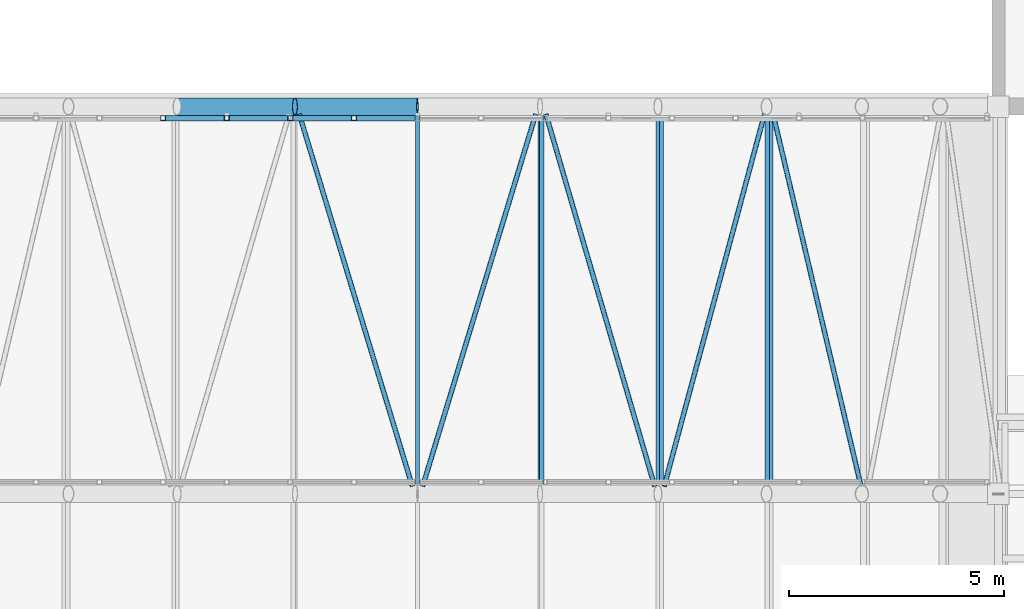
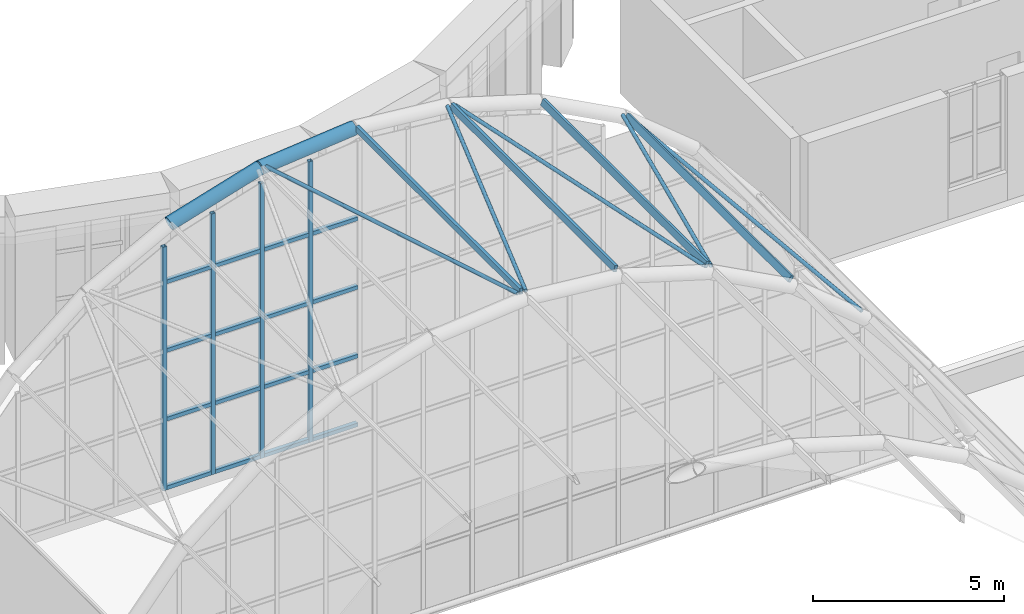
# One storey, part 54 of 121: 31 members, 1 element without a shape of its own.
"""IFC4 building model written with IfcOpenShell, lengths in metres."""

from ifc_helpers import new_model, si_unit, direction, frame, origin, origin_2d, place, context, subcontext, project, spatial, hollow_rectangle, hollow_circle, extrude, material, material_profile, profile_set, type_object, element, aggregate, save


model = new_model("IFC4")

# Units and contexts
model_context = context("Model", 3, precision=1e-05, world=origin(), true_north=direction((0.0, 1.0)))
body_context = subcontext(model_context, "Body", "Model", "MODEL_VIEW")
ifc_project = project(units=[si_unit("LENGTHUNIT", "METRE"), si_unit("AREAUNIT", "SQUARE_METRE"), si_unit("VOLUMEUNIT", "CUBIC_METRE"), si_unit("PLANEANGLEUNIT", "RADIAN"), si_unit("MASSUNIT", "GRAM", prefix="KILO")], contexts=[model_context])

# Site, building, storey
site_placement = place(None, origin())
site = spatial("IfcSite", under=ifc_project, at=site_placement, CompositionType="ELEMENT")
building_placement = place(site_placement, origin())
building = spatial("IfcBuilding", under=site, at=building_placement, Name="Golden Quay Civic Hall", CompositionType="ELEMENT")
storey_placement = place(building_placement, frame((0.0, 0.0, 18.60009765625)))
storey = spatial("IfcBuildingStorey", under=building, at=storey_placement, Name="L04", CompositionType="ELEMENT", Elevation=18.60009765625)

# Members
ifc_material_1 = material(Name="Steel S355", Category="steel")
ifc_material_profile_1 = material_profile(ifc_material_1, hollow_circle(Radius=0.203125, WallThickness=0.01611328125, at=origin_2d()), Name="CHS 406.4x16")
ifc_profile_set_1 = profile_set([ifc_material_profile_1], Name="Steel S355")
member_type_1 = type_object("IfcMemberType", Name="Steel arch rib CHS 406.4x16", PredefinedType="USERDEFINED", material=ifc_profile_set_1)
member_1_placement = place(storey_placement, frame((79.91259765625, 63.0, 7.990478515625), z_axis=(0.957095401463, 0.0, 0.289773001673), x_axis=(0.0, 1.0, 0.0)))
element("IfcMember", 1, at=member_1_placement, inside=storey, type_object=member_type_1, Name="Arch rib 8 segment 5", ObjectType="ARCH RIB", PredefinedType="USERDEFINED", context=body_context, shape_type="SweptSolid", body=[
    extrude(hollow_circle(Radius=0.203125, WallThickness=0.01611328125, at=origin_2d()), origin(), (0.0, 0.0, 1.0), 2.862060546875),
])
member_2_placement = place(storey_placement, frame((82.65185546875, 63.0, 8.81982421875), z_axis=(0.995201360973, 0.0, 0.097848102266), x_axis=(0.0, 1.0, 0.0)))
element("IfcMember", 2, at=member_2_placement, inside=storey, type_object=member_type_1, Name="Arch rib 8 segment 6", ObjectType="ARCH RIB", PredefinedType="USERDEFINED", context=body_context, shape_type="SweptSolid", body=[
    extrude(hollow_circle(Radius=0.203125, WallThickness=0.01611328125, at=origin_2d()), origin(), (0.0, 0.0, 1.0), 2.86181640625),
])
ifc_material_2 = material(Name="Steel S355", Category="steel")
ifc_material_profile_2 = material_profile(ifc_material_2, hollow_circle(Radius=0.05712890625, WallThickness=0.00634765625, at=origin_2d()), Name="CHS 114.3x6.3")
ifc_profile_set_2 = profile_set([ifc_material_profile_2], Name="Steel S355")
member_type_2 = type_object("IfcMemberType", Name="Steel bracing rod CHS 114.3x6.3", PredefinedType="BRACE", material=ifc_profile_set_2)
for number, where, z_axis, x_axis, name in (
    (3, (82.751220703125, 62.824951171875, 8.933349609375), (0.290695657407, -0.956388442933, 0.028586377676), (0.956779453821, 0.290814505735, 0.0), "Vault bracing north 6"),
    (4, (85.61962890625, 54.175048828125, 9.19189453125), (0.290695657407, 0.956388442933, -0.028586377676), (-0.956779453821, 0.290814505735, 0.0), "Vault bracing north 7"),
    (5, (88.4833984375, 62.824951171875, 8.88671875), (0.279573306593, -0.95638527108, -0.084652108668), (0.959830517224, 0.280580430903, 0.0), "Vault bracing north 8"),
    (6, (91.23291015625, 54.175048828125, 8.02978515625), (0.257735343347, 0.956384919854, -0.137478645126), (-0.965553106332, 0.260206069976, 0.0), "Vault bracing north 9"),
    (7, (93.762939453125, 62.824951171875, 6.65380859375), (0.226043817582, -0.956380756741, -0.185040645991), (0.973186848688, 0.230015994099, 0.0), "Vault bracing north 10"),
):
    element("IfcMember", number, at=place(storey_placement, frame(where, z_axis=z_axis, x_axis=x_axis)), inside=storey, type_object=member_type_2, Name=name, PredefinedType="BRACE", context=body_context, shape_type="SweptSolid", body=[
        extrude(hollow_circle(Radius=0.05712890625, WallThickness=0.00634765625, at=origin_2d()), origin(), (0.0, 0.0, 1.0), 9.04443359375),
    ])

# Curtain wall, members
ifc_material_3 = material(Name="Glass and aluminium", Category="aluminium")
curtain_wall_type = type_object("IfcCurtainWallType", Name="Glazed curtain wall 1500 module", PredefinedType="NOTDEFINED", material=ifc_material_3)
curtain_wall_placement = place(storey_placement, origin())
curtain_wall = element("IfcCurtainWall", 8, at=curtain_wall_placement, inside=storey, type_object=curtain_wall_type, Name="Curtain wall tympanum north", PredefinedType="NOTDEFINED")
ifc_material_4 = material(Name="Steel S355", Category="steel")
ifc_material_profile_3 = material_profile(ifc_material_4, hollow_rectangle(XDim=0.1201171875, YDim=0.1201171875, WallThickness=0.008056640625, at=origin_2d()), Name="SHS 120x120x8")
ifc_profile_set_3 = profile_set([ifc_material_profile_3], Name="Steel S355")
member_type_3 = type_object("IfcMemberType", Name="Steel mullion SHS 120x120x8", PredefinedType="MULLION", material=ifc_profile_set_3)
member_3_placement = place(storey_placement, frame((79.5888671875, 62.72998046875, -0.25), z_axis=(0.0, 0.0, 1.0), x_axis=(0.0, 1.0, 0.0)))
member_3 = element("IfcMember", 9, at=member_3_placement, type_object=member_type_3, Name="Tympanum mullion 6", PredefinedType="MULLION", context=body_context, shape_type="SweptSolid", body=[
    extrude(hollow_rectangle(XDim=0.1201171875, YDim=0.1201171875, WallThickness=0.008056640625, at=origin_2d()), origin(), (0.0, 0.0, 1.0), 7.805419921875),
])
member_4_placement = place(storey_placement, frame((81.066650390625, 62.72998046875, -0.25), z_axis=(0.0, 0.0, 1.0), x_axis=(0.0, 1.0, 0.0)))
member_4 = element("IfcMember", 10, at=member_4_placement, type_object=member_type_3, Name="Tympanum mullion 7", PredefinedType="MULLION", context=body_context, shape_type="SweptSolid", body=[
    extrude(hollow_rectangle(XDim=0.1201171875, YDim=0.1201171875, WallThickness=0.008056640625, at=origin_2d()), origin(), (0.0, 0.0, 1.0), 8.359375),
])
member_5_placement = place(storey_placement, frame((82.54443359375, 62.72998046875, -0.25), z_axis=(0.0, 0.0, 1.0), x_axis=(0.0, 1.0, 0.0)))
member_5 = element("IfcMember", 11, at=member_5_placement, type_object=member_type_3, Name="Tympanum mullion 8", PredefinedType="MULLION", context=body_context, shape_type="SweptSolid", body=[
    extrude(hollow_rectangle(XDim=0.1201171875, YDim=0.1201171875, WallThickness=0.008056640625, at=origin_2d()), origin(), (0.0, 0.0, 1.0), 8.806884765625),
])
member_6_placement = place(storey_placement, frame((84.022216796875, 62.72998046875, -0.25), z_axis=(0.0, 0.0, 1.0), x_axis=(0.0, 1.0, 0.0)))
member_6 = element("IfcMember", 12, at=member_6_placement, type_object=member_type_3, Name="Tympanum mullion 9", PredefinedType="MULLION", context=body_context, shape_type="SweptSolid", body=[
    extrude(hollow_rectangle(XDim=0.1201171875, YDim=0.1201171875, WallThickness=0.008056640625, at=origin_2d()), origin(), (0.0, 0.0, 1.0), 8.99462890625),
])

# Members
ifc_material_5 = material(Name="Steel S355", Category="steel")
ifc_material_profile_4 = material_profile(ifc_material_5, hollow_rectangle(XDim=0.10009765625, YDim=0.199951171875, WallThickness=0.008056640625, at=origin_2d()), Name="RHS 200x100x8")
ifc_profile_set_4 = profile_set([ifc_material_profile_4], Name="Steel S355")
member_type_4 = type_object("IfcMemberType", Name="Steel purlin RHS 200x100x8", PredefinedType="PURLIN", material=ifc_profile_set_4)
for number, where, z_axis, x_axis, name in (
    (13, (85.5, 54.203125, 9.203125), (0.0, 1.0, 0.0), (-1.0, 0.0, 0.0), "Purlin 7.7"),
    (14, (88.368408203125, 54.203125, 8.921142578125), (0.0, 1.0, 0.0), (-0.98085324351, 0.0, 0.194748336824), "Purlin 7.8"),
    (15, (91.126708984375, 54.203125, 8.0859375), (0.0, 1.0, 0.0), (-0.924146170615, 0.0, 0.382039075668), "Purlin 7.9"),
    (16, (93.669677734375, 54.203125, 6.7294921875), (0.0, 1.0, 0.0), (-0.832050294338, 0.0, 0.554700196226), "Purlin 7.10"),
):
    element("IfcMember", number, at=place(storey_placement, frame(where, z_axis=z_axis, x_axis=x_axis)), inside=storey, type_object=member_type_4, Name=name, PredefinedType="PURLIN", context=body_context, shape_type="SweptSolid", body=[
        extrude(hollow_rectangle(XDim=0.10009765625, YDim=0.199951171875, WallThickness=0.008056640625, at=origin_2d()), origin(), (0.0, 0.0, 1.0), 8.59375),
    ])

# Member
ifc_material_6 = material(Name="Steel S355", Category="steel")
ifc_material_profile_5 = material_profile(ifc_material_6, hollow_rectangle(XDim=0.1201171875, YDim=0.1201171875, WallThickness=0.008056640625, at=origin_2d()), Name="SHS 120x120x8")
ifc_profile_set_5 = profile_set([ifc_material_profile_5], Name="Steel S355")
member_type_5 = type_object("IfcMemberType", Name="Steel transom SHS 120x120x8", PredefinedType="USERDEFINED", material=ifc_profile_set_5)
member_7_placement = place(storey_placement, frame((79.64892578125, 62.72998046875, -0.190185546875), z_axis=(1.0, 0.0, 0.0), x_axis=(0.0, 1.0, 0.0)))
member_7 = element("IfcMember", 17, at=member_7_placement, type_object=member_type_5, Name="Tympanum transom 6.1", ObjectType="TRANSOM", PredefinedType="USERDEFINED", context=body_context, shape_type="SweptSolid", body=[
    extrude(hollow_rectangle(XDim=0.1201171875, YDim=0.1201171875, WallThickness=0.008056640625, at=origin_2d()), origin(), (0.0, 0.0, 1.0), 1.357666015625),
])

member_8_placement = place(storey_placement, frame((79.64892578125, 62.72998046875, 2.010009765625), z_axis=(1.0, 0.0, 0.0), x_axis=(0.0, 1.0, 0.0)))
member_8 = element("IfcMember", 18, at=member_8_placement, type_object=member_type_5, Name="Tympanum transom 6.2", ObjectType="TRANSOM", PredefinedType="USERDEFINED", context=body_context, shape_type="SweptSolid", body=[
    extrude(hollow_rectangle(XDim=0.1201171875, YDim=0.1201171875, WallThickness=0.008056640625, at=origin_2d()), origin(), (0.0, 0.0, 1.0), 1.357666015625),
])

member_9_placement = place(storey_placement, frame((79.64892578125, 62.72998046875, 4.2099609375), z_axis=(1.0, 0.0, 0.0), x_axis=(0.0, 1.0, 0.0)))
member_9 = element("IfcMember", 19, at=member_9_placement, type_object=member_type_5, Name="Tympanum transom 6.3", ObjectType="TRANSOM", PredefinedType="USERDEFINED", context=body_context, shape_type="SweptSolid", body=[
    extrude(hollow_rectangle(XDim=0.1201171875, YDim=0.1201171875, WallThickness=0.008056640625, at=origin_2d()), origin(), (0.0, 0.0, 1.0), 1.357666015625),
])

member_10_placement = place(storey_placement, frame((79.64892578125, 62.72998046875, 6.409912109375), z_axis=(1.0, 0.0, 0.0), x_axis=(0.0, 1.0, 0.0)))
member_10 = element("IfcMember", 20, at=member_10_placement, type_object=member_type_5, Name="Tympanum transom 6.4", ObjectType="TRANSOM", PredefinedType="USERDEFINED", context=body_context, shape_type="SweptSolid", body=[
    extrude(hollow_rectangle(XDim=0.1201171875, YDim=0.1201171875, WallThickness=0.008056640625, at=origin_2d()), origin(), (0.0, 0.0, 1.0), 1.357666015625),
])

member_11_placement = place(storey_placement, frame((81.126708984375, 62.72998046875, -0.190185546875), z_axis=(1.0, 0.0, 0.0), x_axis=(0.0, 1.0, 0.0)))
member_11 = element("IfcMember", 21, at=member_11_placement, type_object=member_type_5, Name="Tympanum transom 7.1", ObjectType="TRANSOM", PredefinedType="USERDEFINED", context=body_context, shape_type="SweptSolid", body=[
    extrude(hollow_rectangle(XDim=0.1201171875, YDim=0.1201171875, WallThickness=0.008056640625, at=origin_2d()), origin(), (0.0, 0.0, 1.0), 1.357666015625),
])

member_12_placement = place(storey_placement, frame((81.126708984375, 62.72998046875, 2.010009765625), z_axis=(1.0, 0.0, 0.0), x_axis=(0.0, 1.0, 0.0)))
member_12 = element("IfcMember", 22, at=member_12_placement, type_object=member_type_5, Name="Tympanum transom 7.2", ObjectType="TRANSOM", PredefinedType="USERDEFINED", context=body_context, shape_type="SweptSolid", body=[
    extrude(hollow_rectangle(XDim=0.1201171875, YDim=0.1201171875, WallThickness=0.008056640625, at=origin_2d()), origin(), (0.0, 0.0, 1.0), 1.357666015625),
])

member_13_placement = place(storey_placement, frame((81.126708984375, 62.72998046875, 4.2099609375), z_axis=(1.0, 0.0, 0.0), x_axis=(0.0, 1.0, 0.0)))
member_13 = element("IfcMember", 23, at=member_13_placement, type_object=member_type_5, Name="Tympanum transom 7.3", ObjectType="TRANSOM", PredefinedType="USERDEFINED", context=body_context, shape_type="SweptSolid", body=[
    extrude(hollow_rectangle(XDim=0.1201171875, YDim=0.1201171875, WallThickness=0.008056640625, at=origin_2d()), origin(), (0.0, 0.0, 1.0), 1.357666015625),
])

member_14_placement = place(storey_placement, frame((81.126708984375, 62.72998046875, 6.409912109375), z_axis=(1.0, 0.0, 0.0), x_axis=(0.0, 1.0, 0.0)))
member_14 = element("IfcMember", 24, at=member_14_placement, type_object=member_type_5, Name="Tympanum transom 7.4", ObjectType="TRANSOM", PredefinedType="USERDEFINED", context=body_context, shape_type="SweptSolid", body=[
    extrude(hollow_rectangle(XDim=0.1201171875, YDim=0.1201171875, WallThickness=0.008056640625, at=origin_2d()), origin(), (0.0, 0.0, 1.0), 1.357666015625),
])

member_15_placement = place(storey_placement, frame((82.6044921875, 62.72998046875, -0.190185546875), z_axis=(1.0, 0.0, 0.0), x_axis=(0.0, 1.0, 0.0)))
member_15 = element("IfcMember", 25, at=member_15_placement, type_object=member_type_5, Name="Tympanum transom 8.1", ObjectType="TRANSOM", PredefinedType="USERDEFINED", context=body_context, shape_type="SweptSolid", body=[
    extrude(hollow_rectangle(XDim=0.1201171875, YDim=0.1201171875, WallThickness=0.008056640625, at=origin_2d()), origin(), (0.0, 0.0, 1.0), 1.357666015625),
])

member_16_placement = place(storey_placement, frame((82.6044921875, 62.72998046875, 2.010009765625), z_axis=(1.0, 0.0, 0.0), x_axis=(0.0, 1.0, 0.0)))
member_16 = element("IfcMember", 26, at=member_16_placement, type_object=member_type_5, Name="Tympanum transom 8.2", ObjectType="TRANSOM", PredefinedType="USERDEFINED", context=body_context, shape_type="SweptSolid", body=[
    extrude(hollow_rectangle(XDim=0.1201171875, YDim=0.1201171875, WallThickness=0.008056640625, at=origin_2d()), origin(), (0.0, 0.0, 1.0), 1.357666015625),
])

member_17_placement = place(storey_placement, frame((82.6044921875, 62.72998046875, 4.2099609375), z_axis=(1.0, 0.0, 0.0), x_axis=(0.0, 1.0, 0.0)))
member_17 = element("IfcMember", 27, at=member_17_placement, type_object=member_type_5, Name="Tympanum transom 8.3", ObjectType="TRANSOM", PredefinedType="USERDEFINED", context=body_context, shape_type="SweptSolid", body=[
    extrude(hollow_rectangle(XDim=0.1201171875, YDim=0.1201171875, WallThickness=0.008056640625, at=origin_2d()), origin(), (0.0, 0.0, 1.0), 1.357666015625),
])

member_18_placement = place(storey_placement, frame((82.6044921875, 62.72998046875, 6.409912109375), z_axis=(1.0, 0.0, 0.0), x_axis=(0.0, 1.0, 0.0)))
member_18 = element("IfcMember", 28, at=member_18_placement, type_object=member_type_5, Name="Tympanum transom 8.4", ObjectType="TRANSOM", PredefinedType="USERDEFINED", context=body_context, shape_type="SweptSolid", body=[
    extrude(hollow_rectangle(XDim=0.1201171875, YDim=0.1201171875, WallThickness=0.008056640625, at=origin_2d()), origin(), (0.0, 0.0, 1.0), 1.357666015625),
])

member_19_placement = place(storey_placement, frame((84.082275390625, 62.72998046875, -0.190185546875), z_axis=(1.0, 0.0, 0.0), x_axis=(0.0, 1.0, 0.0)))
member_19 = element("IfcMember", 29, at=member_19_placement, type_object=member_type_5, Name="Tympanum transom 9.1", ObjectType="TRANSOM", PredefinedType="USERDEFINED", context=body_context, shape_type="SweptSolid", body=[
    extrude(hollow_rectangle(XDim=0.1201171875, YDim=0.1201171875, WallThickness=0.008056640625, at=origin_2d()), origin(), (0.0, 0.0, 1.0), 1.357666015625),
])

member_20_placement = place(storey_placement, frame((84.082275390625, 62.72998046875, 2.010009765625), z_axis=(1.0, 0.0, 0.0), x_axis=(0.0, 1.0, 0.0)))
member_20 = element("IfcMember", 30, at=member_20_placement, type_object=member_type_5, Name="Tympanum transom 9.2", ObjectType="TRANSOM", PredefinedType="USERDEFINED", context=body_context, shape_type="SweptSolid", body=[
    extrude(hollow_rectangle(XDim=0.1201171875, YDim=0.1201171875, WallThickness=0.008056640625, at=origin_2d()), origin(), (0.0, 0.0, 1.0), 1.357666015625),
])

member_21_placement = place(storey_placement, frame((84.082275390625, 62.72998046875, 4.2099609375), z_axis=(1.0, 0.0, 0.0), x_axis=(0.0, 1.0, 0.0)))
member_21 = element("IfcMember", 31, at=member_21_placement, type_object=member_type_5, Name="Tympanum transom 9.3", ObjectType="TRANSOM", PredefinedType="USERDEFINED", context=body_context, shape_type="SweptSolid", body=[
    extrude(hollow_rectangle(XDim=0.1201171875, YDim=0.1201171875, WallThickness=0.008056640625, at=origin_2d()), origin(), (0.0, 0.0, 1.0), 1.357666015625),
])

member_22_placement = place(storey_placement, frame((84.082275390625, 62.72998046875, 6.409912109375), z_axis=(1.0, 0.0, 0.0), x_axis=(0.0, 1.0, 0.0)))
member_22 = element("IfcMember", 32, at=member_22_placement, type_object=member_type_5, Name="Tympanum transom 9.4", ObjectType="TRANSOM", PredefinedType="USERDEFINED", context=body_context, shape_type="SweptSolid", body=[
    extrude(hollow_rectangle(XDim=0.1201171875, YDim=0.1201171875, WallThickness=0.008056640625, at=origin_2d()), origin(), (0.0, 0.0, 1.0), 1.357666015625),
])

aggregate(curtain_wall, [member_3, member_4, member_5, member_6, member_7, member_8, member_9, member_10, member_11, member_12, member_13, member_14, member_15, member_16, member_17, member_18, member_19, member_20, member_21, member_22])

save(model, "model.ifc")
